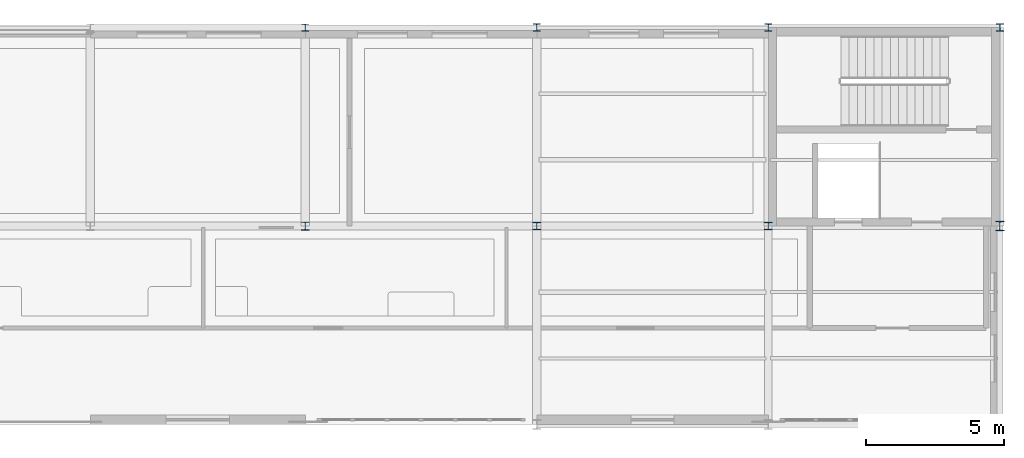
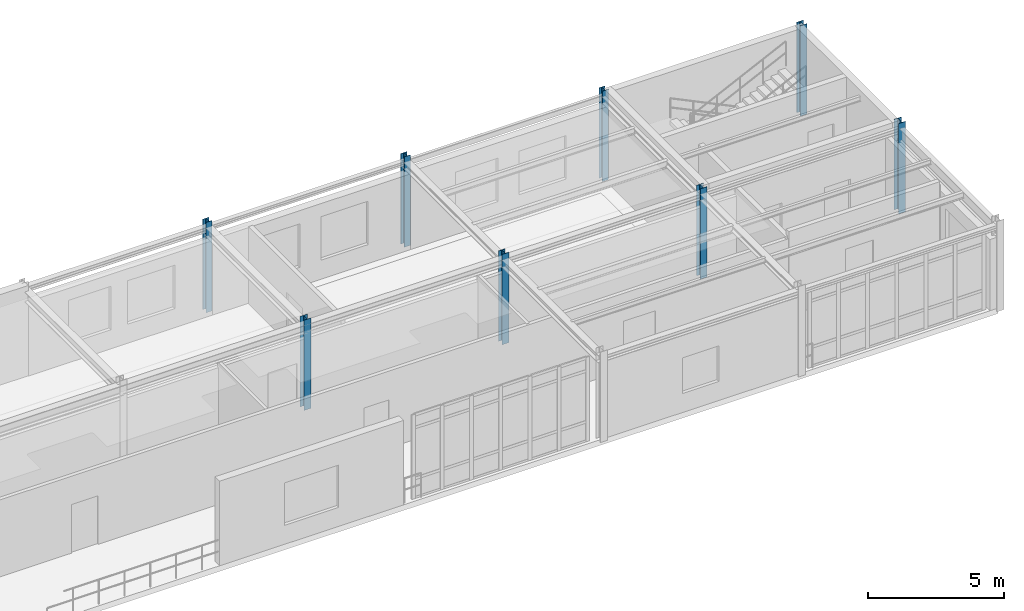
# One storey, part 4 of 20: 8 columns.
"""IFC4 building model written with IfcOpenShell, lengths in metres."""

from ifc_helpers import new_model, si_unit, derived_unit, direction, frame, origin, origin_2d, place, context, subcontext, project, spatial, i_section, extrude, material, material_profile, profile_set, type_object, element, save


model = new_model("IFC4")

# Units and contexts
model_context = context("Model", 3, precision=1e-05, world=origin(), true_north=direction((0.0, 1.0)))
body_context = subcontext(model_context, "Body", "Model", "MODEL_VIEW")
ifc_project = project(units=[si_unit("LENGTHUNIT", "METRE"), si_unit("AREAUNIT", "SQUARE_METRE"), si_unit("VOLUMEUNIT", "CUBIC_METRE"), si_unit("PLANEANGLEUNIT", "RADIAN"), si_unit("MASSUNIT", "GRAM", prefix="KILO"), derived_unit("THERMALTRANSMITTANCEUNIT", [(si_unit("POWERUNIT", "WATT"), 1), (si_unit("AREAUNIT", "SQUARE_METRE"), -1), (si_unit("THERMODYNAMICTEMPERATUREUNIT", "KELVIN"), -1)])], contexts=[model_context])

# Site, building, storey
site_placement = place(None, origin())
site = spatial("IfcSite", under=ifc_project, at=site_placement, CompositionType="ELEMENT")
building_placement = place(site_placement, origin())
building = spatial("IfcBuilding", under=site, at=building_placement, Name="Yasenodar Specialist Clinic", CompositionType="ELEMENT")
storey_placement = place(building_placement, frame((0.0, 0.0, 25.35009765625)))
storey = spatial("IfcBuildingStorey", under=building, at=storey_placement, Name="L06", CompositionType="ELEMENT", Elevation=25.35009765625)

# Columns
ifc_material = material(Name="Steel S355", Category="steel")
ifc_material_profile_1 = material_profile(ifc_material, i_section(OverallWidth=0.260009765625, OverallDepth=0.25, WebThickness=0.007568359375, FlangeThickness=0.012451171875, FilletRadius=0.02392578125, at=origin_2d()), Name="HEA 260")
ifc_profile_set_1 = profile_set([ifc_material_profile_1], Name="Steel S355")
column_type_1 = type_object("IfcColumnType", Name="COL-ST-HEA260", PredefinedType="COLUMN", material=ifc_profile_set_1)
column_1_placement = place(storey_placement, frame((96.60009765625, 111.60009765625, 0.0), z_axis=(0.0, 0.0, 1.0), x_axis=(1.0, 0.0, 0.0)))
element("IfcColumn", 1, at=column_1_placement, inside=storey, type_object=column_type_1, Name="L06 Column V5-116", PredefinedType="COLUMN", context=body_context, shape_type="SweptSolid", body=[
    extrude(i_section(OverallWidth=0.260009765625, OverallDepth=0.25, WebThickness=0.007568359375, FlangeThickness=0.012451171875, FilletRadius=0.02392578125, at=origin_2d()), origin(), (0.0, 0.0, 1.0), 4.0498046875),
])
ifc_material_profile_2 = material_profile(ifc_material, i_section(OverallWidth=0.300048828125, OverallDepth=0.2900390625, WebThickness=0.008544921875, FlangeThickness=0.013916015625, FilletRadius=0.027099609375, at=origin_2d()), Name="HEA 300")
ifc_profile_set_2 = profile_set([ifc_material_profile_2], Name="Steel S355")
column_type_2 = type_object("IfcColumnType", Name="COL-ST-HEA300", PredefinedType="COLUMN", material=ifc_profile_set_2)
column_2_placement = place(storey_placement, frame((96.60009765625, 104.39990234375, 0.0), z_axis=(0.0, 0.0, 1.0), x_axis=(1.0, 0.0, 0.0)))
element("IfcColumn", 2, at=column_2_placement, inside=storey, type_object=column_type_2, Name="L06 Column V5-115", PredefinedType="COLUMN", context=body_context, shape_type="SweptSolid", body=[
    extrude(i_section(OverallWidth=0.300048828125, OverallDepth=0.2900390625, WebThickness=0.008544921875, FlangeThickness=0.013916015625, FilletRadius=0.027099609375, at=origin_2d()), origin(), (0.0, 0.0, 1.0), 4.0498046875),
])
ifc_material_profile_3 = material_profile(ifc_material, i_section(OverallWidth=0.300048828125, OverallDepth=0.330078125, WebThickness=0.009521484375, FlangeThickness=0.0166015625, FilletRadius=0.027099609375, at=origin_2d()), Name="HEA 340")
ifc_profile_set_3 = profile_set([ifc_material_profile_3], Name="Steel S355")
column_type_3 = type_object("IfcColumnType", Name="COL-ST-HEA340", PredefinedType="COLUMN", material=ifc_profile_set_3)
column_3_placement = place(storey_placement, frame((121.800048828125, 104.39990234375, 0.0), z_axis=(0.0, 0.0, 1.0), x_axis=(1.0, 0.0, 0.0)))
element("IfcColumn", 3, at=column_3_placement, inside=storey, type_object=column_type_3, Name="L06 Column V5-144", PredefinedType="COLUMN", context=body_context, shape_type="SweptSolid", body=[
    extrude(i_section(OverallWidth=0.300048828125, OverallDepth=0.330078125, WebThickness=0.009521484375, FlangeThickness=0.0166015625, FilletRadius=0.027099609375, at=origin_2d()), origin(), (0.0, 0.0, 1.0), 4.0498046875),
])
ifc_material_profile_4 = material_profile(ifc_material, i_section(OverallWidth=0.260009765625, OverallDepth=0.260009765625, WebThickness=0.010009765625, FlangeThickness=0.017578125, FilletRadius=0.02392578125, at=origin_2d()), Name="HEB 260")
ifc_profile_set_4 = profile_set([ifc_material_profile_4], Name="Steel S355")
column_type_4 = type_object("IfcColumnType", Name="COL-ST-HEB260", PredefinedType="COLUMN", material=ifc_profile_set_4)
for number, where, z_axis, x_axis, name in (
    (4, (105.0, 111.60009765625, 0.0), (0.0, 0.0, 1.0), (1.0, 0.0, 0.0), "L06 Column V5-126"),
    (5, (113.39990234375, 111.60009765625, 0.0), (0.0, 0.0, 1.0), (1.0, 0.0, 0.0), "L06 Column V5-136"),
):
    element("IfcColumn", number, at=place(storey_placement, frame(where, z_axis=z_axis, x_axis=x_axis)), inside=storey, type_object=column_type_4, Name=name, PredefinedType="COLUMN", context=body_context, shape_type="SweptSolid", body=[
        extrude(i_section(OverallWidth=0.260009765625, OverallDepth=0.260009765625, WebThickness=0.010009765625, FlangeThickness=0.017578125, FilletRadius=0.02392578125, at=origin_2d()), origin(), (0.0, 0.0, 1.0), 4.0498046875),
    ])
ifc_material_profile_5 = material_profile(ifc_material, i_section(OverallWidth=0.280029296875, OverallDepth=0.280029296875, WebThickness=0.010498046875, FlangeThickness=0.01806640625, FilletRadius=0.02392578125, at=origin_2d()), Name="HEB 280")
ifc_profile_set_5 = profile_set([ifc_material_profile_5], Name="Steel S355")
column_type_5 = type_object("IfcColumnType", Name="COL-ST-HEB280", PredefinedType="COLUMN", material=ifc_profile_set_5)
for number, where, z_axis, x_axis, name in (
    (6, (105.0, 104.39990234375, 0.0), (0.0, 0.0, 1.0), (1.0, 0.0, 0.0), "L06 Column V5-125"),
    (7, (113.39990234375, 104.39990234375, 0.0), (0.0, 0.0, 1.0), (1.0, 0.0, 0.0), "L06 Column V5-135"),
    (8, (121.800048828125, 111.60009765625, 0.0), (0.0, 0.0, 1.0), (1.0, 0.0, 0.0), "L06 Column V5-145"),
):
    element("IfcColumn", number, at=place(storey_placement, frame(where, z_axis=z_axis, x_axis=x_axis)), inside=storey, type_object=column_type_5, Name=name, PredefinedType="COLUMN", context=body_context, shape_type="SweptSolid", body=[
        extrude(i_section(OverallWidth=0.280029296875, OverallDepth=0.280029296875, WebThickness=0.010498046875, FlangeThickness=0.01806640625, FilletRadius=0.02392578125, at=origin_2d()), origin(), (0.0, 0.0, 1.0), 4.0498046875),
    ])

save(model, "model.ifc")
